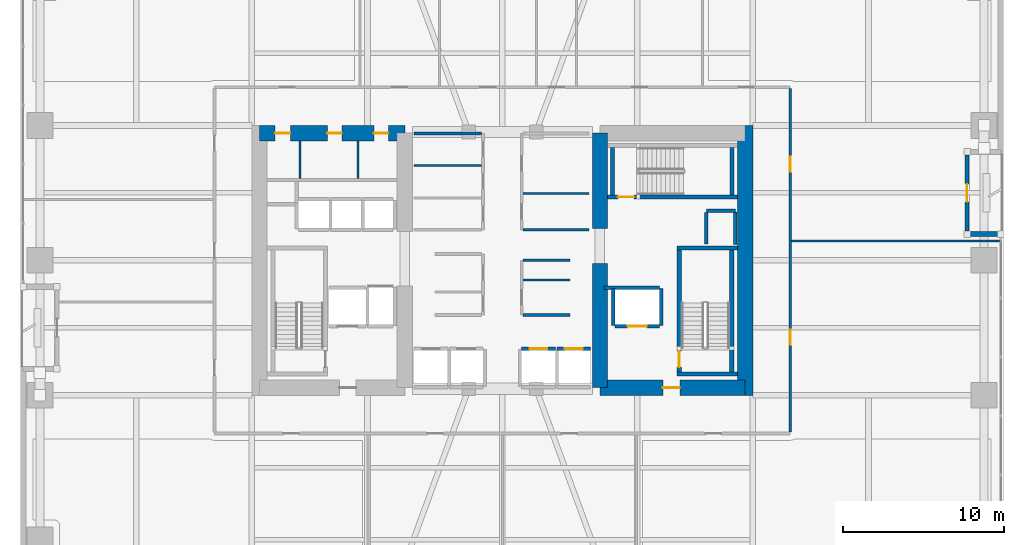
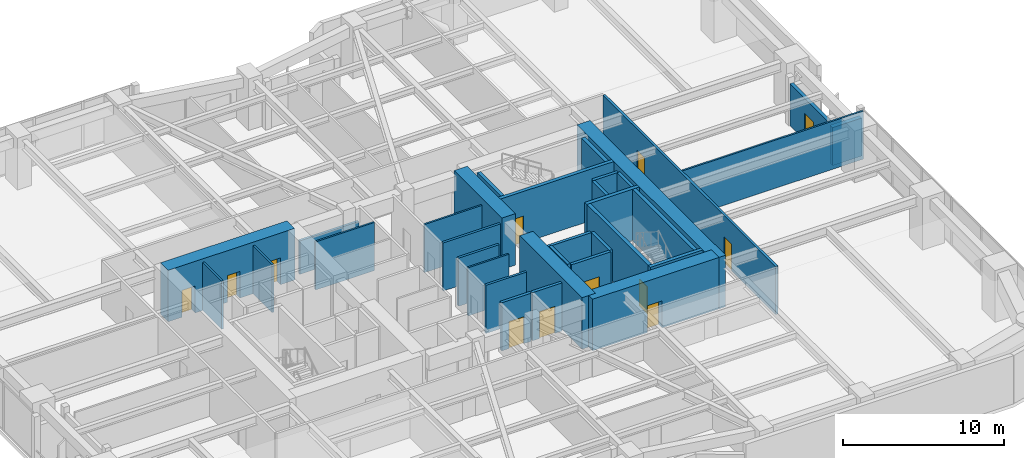
# One storey, part 24 of 28: 34 walls, 12 doors, 12 openings.
"""IFC4 building model written with IfcOpenShell, lengths in metres."""

import ifcopenshell
import ifcopenshell.guid

model = None  # the IFC model being written
_history = None  # IfcOwnerHistory: only IFC2X3 demands one
_inside = {}  # id of a spatial element -> (the spatial element, [elements in it])
_under = {}  # id of a project, library or spatial element -> (it, [spatial elements below it])
_declared = {}  # id of a project -> (the project, [libraries it declares])
_typed = {}  # id of a type object -> (the type object, [elements of that type])
_made_of = {}  # id of a material, layer set ... -> (it, [elements and type objects made of it])


def new_model(schema):
    """Start an empty IFC model of exactly this schema.

    Asked for "IFC4X3", IfcOpenShell would pick the latest addendum, in which some entities
    have other attributes; the version numbers below select the first issue.
    IFC2X3 requires an IfcOwnerHistory on every rooted entity: one is made here for all.
    """
    global model, _history
    if schema == "IFC4X3":
        model = ifcopenshell.file(schema_version=(4, 3, 0, 0))
    else:
        model = ifcopenshell.file(schema=schema)
    _inside.clear()
    _under.clear()
    _declared.clear()
    _typed.clear()
    _made_of.clear()
    _history = None
    if model.schema == "IFC2X3":
        org = make("IfcOrganization", Name="unknown")
        user = make(
            "IfcPersonAndOrganization",
            ThePerson=make("IfcPerson", FamilyName="unknown"),
            TheOrganization=org,
        )
        app = make(
            "IfcApplication",
            ApplicationDeveloper=org,
            Version="unknown",
            ApplicationFullName="unknown",
            ApplicationIdentifier="unknown",
        )
        _history = make(
            "IfcOwnerHistory",
            OwningUser=user,
            OwningApplication=app,
            ChangeAction="ADDED",
            CreationDate=0,
        )
    return model


def make(cls, **values):
    """One entity of the class cls with the attributes given. An attribute that is None is left unset."""
    return model.create_entity(
        cls, **{name: value for name, value in values.items() if value is not None}
    )


def rooted(cls, **values):
    """An entity with a GlobalId (a new one), such as an element, a storey or a relation."""
    return make(cls, GlobalId=ifcopenshell.guid.new(), OwnerHistory=_history, **values)


def si_unit(unit_type, name, prefix=None):
    """IfcSIUnit, for example si_unit("LENGTHUNIT", "METRE", prefix="MILLI")."""
    return make("IfcSIUnit", UnitType=unit_type, Prefix=prefix, Name=name)


def assignment(units):
    """IfcUnitAssignment: the units of a project."""
    return None if units is None else make("IfcUnitAssignment", Units=units)


def point(xyz):
    """IfcCartesianPoint."""
    return None if xyz is None else make("IfcCartesianPoint", Coordinates=xyz)


def direction(xyz):
    """IfcDirection."""
    return None if xyz is None else make("IfcDirection", DirectionRatios=xyz)


def frame(location, z_axis=None, x_axis=None):
    """IfcAxis2Placement3D, a coordinate frame: its origin and axes. An axis left out is left unset."""
    return make(
        "IfcAxis2Placement3D",
        Location=point(location),
        Axis=direction(z_axis),
        RefDirection=direction(x_axis),
    )


def frame_2d(location, x_axis=None):
    """IfcAxis2Placement2D, a coordinate frame in the plane: its origin and x axis."""
    return make(
        "IfcAxis2Placement2D", Location=point(location), RefDirection=direction(x_axis)
    )


def origin():
    """The frame at (0, 0, 0) with its axes left unset."""
    return frame((0.0, 0.0, 0.0))


def place(relative_to, where):
    """IfcLocalPlacement: puts the frame where relative to a parent placement (None: the world)."""
    return make(
        "IfcLocalPlacement", PlacementRelTo=relative_to, RelativePlacement=where
    )


def context(
    kind, dimensions, precision=None, world=None, true_north=None, identifier=None
):
    """IfcGeometricRepresentationContext, for example the 3D "Model" context."""
    return make(
        "IfcGeometricRepresentationContext",
        ContextIdentifier=identifier,
        ContextType=kind,
        CoordinateSpaceDimension=dimensions,
        Precision=precision,
        WorldCoordinateSystem=world,
        TrueNorth=true_north,
    )


def subcontext(parent, identifier, kind, view, scale=None):
    """IfcGeometricRepresentationSubContext, for example "Body" below "Model"."""
    return make(
        "IfcGeometricRepresentationSubContext",
        ContextIdentifier=identifier,
        ContextType=kind,
        ParentContext=parent,
        TargetScale=scale,
        TargetView=view,
    )


def project(units=None, contexts=None):
    """IfcProject with its units and contexts."""
    return rooted(
        "IfcProject",
        Name="project",
        RepresentationContexts=contexts,
        UnitsInContext=assignment(units),
    )


def spatial(cls, under=None, at=None, **own):
    """A site, building, storey or space (cls), placed at a placement, below another one or the project."""
    s = rooted(cls, ObjectPlacement=at, **own)
    if under is not None:
        _under.setdefault(under.id(), (under, []))[1].append(s)
    return s


def profile(cls, at=None, kind="AREA", **sizes):
    """A parametric profile (cls). Its sizes go by their IFC names, for example OverallWidth=200.0."""
    return make(cls, ProfileType=kind, Position=at, **sizes)


def rectangle(**sizes):
    """IfcRectangleProfileDef."""
    return profile("IfcRectangleProfileDef", **sizes)


def extrude(swept, where, along, depth):
    """IfcExtrudedAreaSolid: the profile swept, set in the frame where, extruded along a direction by depth."""
    return make(
        "IfcExtrudedAreaSolid",
        SweptArea=swept,
        Position=where,
        ExtrudedDirection=direction(along),
        Depth=depth,
    )


def shape(context_of_items, identifier, shape_type, items):
    """IfcShapeRepresentation: the items that make up one representation, for example the "Body"."""
    return make(
        "IfcShapeRepresentation",
        ContextOfItems=context_of_items,
        RepresentationIdentifier=identifier,
        RepresentationType=shape_type,
        Items=items,
    )


def material(Name=None, Category=None):
    """IfcMaterial."""
    return make("IfcMaterial", Name=Name, Category=Category)


def layer(
    of_material, thickness, ventilated=None, Name=None, Category=None, Priority=None
):
    """IfcMaterialLayer: one layer of a wall or slab, of a material (None: an air gap)."""
    return make(
        "IfcMaterialLayer",
        Material=of_material,
        LayerThickness=thickness,
        IsVentilated=ventilated,
        Name=Name,
        Category=Category,
        Priority=Priority,
    )


def layer_set(layers, Name=None):
    """IfcMaterialLayerSet."""
    return make("IfcMaterialLayerSet", MaterialLayers=layers, LayerSetName=Name)


def made_of(thing, what):
    """Note that an element or type object is made of a material, layer set ...; save() writes the relation."""
    if what is not None:
        _made_of.setdefault(what.id(), (what, []))[1].append(thing)
    return thing


def type_object(cls, material=None, **own):
    """A type object (cls), such as IfcWallType, which elements share."""
    return made_of(rooted(cls, **own), material)


def element(
    cls,
    number,
    at=None,
    inside=None,
    cuts=None,
    type_object=None,
    material=None,
    context=None,
    identifier="Body",
    shape_type=None,
    held_by="IfcProductDefinitionShape",
    body=None,
    shapes=None,
    **own,
):
    """One element of the class cls, such as IfcWall. Its Tag is "e" and its number.

    at: its placement. inside: the storey or other place that contains it. cuts: it is an
    opening in that element (IfcRelVoidsElement). A single representation is given by context,
    identifier, shape_type and body (its items); several are given by shapes. held_by: the class
    of the entity that holds the representations. save() writes the other relations.
    """
    e = rooted(cls, Tag="e%d" % number, ObjectPlacement=at, **own)
    if body is not None:
        shapes = [shape(context, identifier, shape_type, body)]
    if shapes is not None:
        e.Representation = make(held_by, Representations=shapes)
    if inside is not None:
        _inside.setdefault(inside.id(), (inside, []))[1].append(e)
    if cuts is not None:
        rooted(
            "IfcRelVoidsElement", RelatingBuildingElement=cuts, RelatedOpeningElement=e
        )
    if type_object is not None:
        _typed.setdefault(type_object.id(), (type_object, []))[1].append(e)
    return made_of(e, material)


def fill(opening, filler):
    """IfcRelFillsElement: the door or window that sits in an opening."""
    return rooted(
        "IfcRelFillsElement",
        RelatingOpeningElement=opening,
        RelatedBuildingElement=filler,
    )


def aggregate(whole, parts):
    """IfcRelAggregates: a whole, such as a stair, and the parts it consists of."""
    return rooted("IfcRelAggregates", RelatingObject=whole, RelatedObjects=parts)


def save(model, path):
    """Write the relations noted so far, then the file.

    IfcRelAggregates (storeys below a building ...), IfcRelContainedInSpatialStructure (elements
    in a storey), IfcRelDefinesByType, IfcRelAssociatesMaterial and IfcRelDeclares: one each for
    every whole, place, type object, material and project.
    """
    for whole, parts in _under.values():
        aggregate(whole, parts)
    for where, things in _inside.values():
        rooted(
            "IfcRelContainedInSpatialStructure",
            RelatedElements=things,
            RelatingStructure=where,
        )
    for kind, things in _typed.values():
        rooted("IfcRelDefinesByType", RelatedObjects=things, RelatingType=kind)
    for what, things in _made_of.values():
        rooted("IfcRelAssociatesMaterial", RelatedObjects=things, RelatingMaterial=what)
    for by, libraries in _declared.values():
        rooted("IfcRelDeclares", RelatingContext=by, RelatedDefinitions=libraries)
    model.write(path)


model = new_model("IFC4")

# Units and contexts
model_context = context("Model", 3, precision=1e-05, world=origin(), true_north=direction((0.0, 1.0)))
body_context = subcontext(model_context, "Body", "Model", "MODEL_VIEW")
ifc_project = project(units=[si_unit("LENGTHUNIT", "METRE"), si_unit("AREAUNIT", "SQUARE_METRE"), si_unit("VOLUMEUNIT", "CUBIC_METRE"), si_unit("PLANEANGLEUNIT", "RADIAN"), si_unit("MASSUNIT", "GRAM", prefix="KILO")], contexts=[model_context])

# Site, building, storey
site_placement = place(None, origin())
site = spatial("IfcSite", under=ifc_project, at=site_placement, CompositionType="ELEMENT")
building_placement = place(site_placement, origin())
building = spatial("IfcBuilding", under=site, at=building_placement, Name="Kiyonajd Concourse Tower", CompositionType="ELEMENT")
storey_placement = place(building_placement, frame((0.0, 0.0, 37.199951171875)))
storey = spatial("IfcBuildingStorey", under=building, at=storey_placement, Name="L10", CompositionType="ELEMENT", Elevation=37.199951171875)

# Wall, openings, doors
ifc_material_1 = material(Name="Concrete C80/95", Category="concrete")
ifc_layer_1 = layer(ifc_material_1, 0.949951171875)
ifc_layer_set_1 = layer_set([ifc_layer_1], Name="Concrete C80/95")
wall_type_1 = type_object("IfcWallType", Name="WL-CORE-950", PredefinedType="SHEAR", material=ifc_layer_set_1)
wall_1_placement = place(storey_placement, frame((32.875, 43.925048828125, 0.0), z_axis=(0.0, 0.0, 1.0), x_axis=(1.0, 0.0, 0.0)))
wall_1 = element("IfcWall", 1, at=wall_1_placement, inside=storey, type_object=wall_type_1, Name="L10 West Core North Shear Wall", PredefinedType="SHEAR", context=body_context, shape_type="SweptSolid", body=[
    extrude(rectangle(XDim=9.050048828125, YDim=0.949951171875, at=frame_2d((4.52490234375, 0.0))), origin(), (0.0, 0.0, 1.0), 3.900146484375),
])
opening_1_placement = place(wall_1_placement, frame((0.97509765625, 0.0, 0.0)))
opening_1 = element("IfcOpeningElement", 2, at=opening_1_placement, cuts=wall_1, Name="Opening DI1", PredefinedType="OPENING", context=body_context, shape_type="SweptSolid", body=[
    extrude(rectangle(XDim=0.949951171875, YDim=2.0400390625, at=frame_2d((0.47509765625, 1.02001953125))), frame((0.0, 0.48486328125, 0.0), z_axis=(0.0, -1.0, 0.0), x_axis=(1.0, 0.0, 0.0)), (0.0, 0.0, 1.0), 0.969970703125),
])
opening_2_placement = place(wall_1_placement, frame((4.22509765625, 0.0, 0.0)))
opening_2 = element("IfcOpeningElement", 3, at=opening_2_placement, cuts=wall_1, Name="Opening DI2", PredefinedType="OPENING", context=body_context, shape_type="SweptSolid", body=[
    extrude(rectangle(XDim=0.89990234375, YDim=2.02001953125, at=frame_2d((0.449951171875, 1.010009765625))), frame((0.0, 0.48486328125, 0.0), z_axis=(0.0, -1.0, 0.0), x_axis=(1.0, 0.0, 0.0)), (0.0, 0.0, 1.0), 0.969970703125),
])
opening_3_placement = place(wall_1_placement, frame((7.125, 0.0, 0.0)))
opening_3 = element("IfcOpeningElement", 4, at=opening_3_placement, cuts=wall_1, Name="Opening DI2", PredefinedType="OPENING", context=body_context, shape_type="SweptSolid", body=[
    extrude(rectangle(XDim=0.89990234375, YDim=2.02001953125, at=frame_2d((0.449951171875, 1.010009765625))), frame((0.0, 0.48486328125, 0.0), z_axis=(0.0, -1.0, 0.0), x_axis=(1.0, 0.0, 0.0)), (0.0, 0.0, 1.0), 0.969970703125),
])
ifc_material_2 = material(Name="Natural Oak Acoustic Timber Veneer", Category="wood")
door_type_1 = type_object("IfcDoorType", Name="DR-INT-900", OperationType="NOTDEFINED", PredefinedType="DOOR", material=ifc_material_2)
door_1_placement = place(opening_2_placement, origin())
door_1 = element("IfcDoor", 5, at=door_1_placement, inside=storey, type_object=door_type_1, Name="L10 Male Restroom Door", OperationType="SINGLE_SWING_RIGHT", OverallHeight=2.02001953125, OverallWidth=0.89990234375, PredefinedType="DOOR", context=body_context, shape_type="SweptSolid", body=[
    extrude(rectangle(XDim=0.89990234375, YDim=2.02001953125, at=frame_2d((0.449951171875, 1.010009765625))), frame((0.0, 0.02490234375, 0.0), z_axis=(0.0, -1.0, 0.0), x_axis=(1.0, 0.0, 0.0)), (0.0, 0.0, 1.0), 0.050048828125),
])
fill(opening_2, door_1)
door_2_placement = place(opening_3_placement, origin())
door_2 = element("IfcDoor", 6, at=door_2_placement, inside=storey, type_object=door_type_1, Name="L10 Female Restroom Door", OperationType="SINGLE_SWING_LEFT", OverallHeight=2.02001953125, OverallWidth=0.89990234375, PredefinedType="DOOR", context=body_context, shape_type="SweptSolid", body=[
    extrude(rectangle(XDim=0.89990234375, YDim=2.02001953125, at=frame_2d((0.449951171875, 1.010009765625))), frame((0.0, 0.02490234375, 0.0), z_axis=(0.0, -1.0, 0.0), x_axis=(1.0, 0.0, 0.0)), (0.0, 0.0, 1.0), 0.050048828125),
])
fill(opening_3, door_2)
door_type_2 = type_object("IfcDoorType", Name="DR-INT-950", OperationType="NOTDEFINED", PredefinedType="DOOR", material=ifc_material_2)
door_3_placement = place(opening_1_placement, origin())
door_3 = element("IfcDoor", 7, at=door_3_placement, inside=storey, type_object=door_type_2, Name="L10 Single User Accessible WC Door", OperationType="SINGLE_SWING_LEFT", OverallHeight=2.0400390625, OverallWidth=0.949951171875, PredefinedType="DOOR", context=body_context, shape_type="SweptSolid", body=[
    extrude(rectangle(XDim=0.949951171875, YDim=2.0400390625, at=frame_2d((0.47509765625, 1.02001953125))), frame((0.0, 0.02490234375, 0.0), z_axis=(0.0, -1.0, 0.0), x_axis=(1.0, 0.0, 0.0)), (0.0, 0.0, 1.0), 0.050048828125),
])
fill(opening_1, door_3)

# Walls
wall_2_placement = place(storey_placement, frame((54.074951171875, 28.074951171875, 0.0), z_axis=(0.0, 0.0, 1.0), x_axis=(0.0, 1.0, 0.0)))
element("IfcWall", 8, at=wall_2_placement, inside=storey, type_object=wall_type_1, Name="L10 East Core Inner South Shear Wall", PredefinedType="SHEAR", context=body_context, shape_type="SweptSolid", body=[
    extrude(rectangle(XDim=7.72509765625, YDim=0.949951171875, at=frame_2d((3.862548828125, 0.0))), origin(), (0.0, 0.0, 1.0), 3.900146484375),
])
wall_3_placement = place(storey_placement, frame((54.074951171875, 38.0, 0.0), z_axis=(0.0, 0.0, 1.0), x_axis=(0.0, 1.0, 0.0)))
element("IfcWall", 9, at=wall_3_placement, inside=storey, type_object=wall_type_1, Name="L10 East Core Inner North Shear Wall", PredefinedType="SHEAR", context=body_context, shape_type="SweptSolid", body=[
    extrude(rectangle(XDim=5.925048828125, YDim=0.949951171875, at=frame_2d((2.96240234375, 0.0))), origin(), (0.0, 0.0, 1.0), 3.900146484375),
])
wall_4_placement = place(storey_placement, frame((63.125, 27.60009765625, 0.0), z_axis=(0.0, 0.0, 1.0), x_axis=(0.0, 1.0, 0.0)))
element("IfcWall", 10, at=wall_4_placement, inside=storey, type_object=wall_type_1, Name="L10 East Core Outer Shear Wall", PredefinedType="SHEAR", context=body_context, shape_type="SweptSolid", body=[
    extrude(rectangle(XDim=16.7998046875, YDim=0.949951171875, at=frame_2d((8.39990234375, 0.0))), origin(), (0.0, 0.0, 1.0), 3.900146484375),
])

# Wall, opening, door
wall_5_placement = place(storey_placement, frame((54.074951171875, 28.074951171875, 0.0), z_axis=(0.0, 0.0, 1.0), x_axis=(1.0, 0.0, 0.0)))
wall_5 = element("IfcWall", 11, at=wall_5_placement, inside=storey, type_object=wall_type_1, Name="L10 East Core South Shear Wall", PredefinedType="SHEAR", context=body_context, shape_type="SweptSolid", body=[
    extrude(rectangle(XDim=9.050048828125, YDim=0.949951171875, at=frame_2d((4.52490234375, 0.0))), origin(), (0.0, 0.0, 1.0), 3.900146484375),
])
opening_4_placement = place(wall_5_placement, frame((3.925048828125, 0.0, 0.0)))
opening_4 = element("IfcOpeningElement", 12, at=opening_4_placement, cuts=wall_5, Name="Opening DF5", PredefinedType="OPENING", context=body_context, shape_type="SweptSolid", body=[
    extrude(rectangle(XDim=1.050048828125, YDim=2.0400390625, at=frame_2d((0.52490234375, 1.02001953125))), frame((0.0, 0.48486328125, 0.0), z_axis=(0.0, -1.0, 0.0), x_axis=(1.0, 0.0, 0.0)), (0.0, 0.0, 1.0), 0.969970703125),
])
ifc_material_3 = material(Name="Brushed Stainless Steel Cab Assembly", Category="steel")
door_type_3 = type_object("IfcDoorType", Name="DR-FD45-1050", OperationType="NOTDEFINED", PredefinedType="DOOR", material=ifc_material_3)
door_4_placement = place(opening_4_placement, origin())
door_4 = element("IfcDoor", 13, at=door_4_placement, inside=storey, type_object=door_type_3, Name="L10 Firefighting Lift Lobby E Smoke Door", OperationType="SINGLE_SWING_RIGHT", OverallHeight=2.0400390625, OverallWidth=1.050048828125, PredefinedType="DOOR", context=body_context, shape_type="SweptSolid", body=[
    extrude(rectangle(XDim=1.050048828125, YDim=2.0400390625, at=frame_2d((0.52490234375, 1.02001953125))), frame((0.0, 0.02490234375, 0.0), z_axis=(0.0, -1.0, 0.0), x_axis=(1.0, 0.0, 0.0)), (0.0, 0.0, 1.0), 0.050048828125),
])
fill(opening_4, door_4)

# Wall
ifc_material_4 = material(Name="Precast concrete C50/60", Category="concrete")
ifc_layer_2 = layer(ifc_material_4, 0.320068359375)
ifc_layer_set_2 = layer_set([ifc_layer_2], Name="Precast concrete C50/60")
wall_type_2 = type_object("IfcWallType", Name="WL-EXT-320", PredefinedType="SOLIDWALL", material=ifc_layer_set_2)
wall_6_placement = place(storey_placement, frame((76.93994140625, 37.639892578125, 0.0), z_axis=(0.0, 0.0, 1.0), x_axis=(1.0, 0.0, 0.0)))
element("IfcWall", 14, at=wall_6_placement, inside=storey, type_object=wall_type_2, Name="L10 Exterior Concrete Frame Wall 23", PredefinedType="SOLIDWALL", context=body_context, shape_type="SweptSolid", body=[
    extrude(rectangle(XDim=2.10009765625, YDim=0.320068359375, at=frame_2d((1.050048828125, 0.0))), origin(), (0.0, 0.0, 1.0), 2.875),
])

# Wall, opening, door
ifc_layer_3 = layer(ifc_material_4, 0.239990234375)
ifc_layer_set_3 = layer_set([ifc_layer_3], Name="Precast concrete C50/60")
wall_type_3 = type_object("IfcWallType", Name="WL-LOG-240", PredefinedType="SOLIDWALL", material=ifc_layer_set_3)
wall_7_placement = place(storey_placement, frame((76.93994140625, 42.56494140625, 0.0), z_axis=(0.0, 0.0, 1.0), x_axis=(0.0, -1.0, 0.0)))
wall_7 = element("IfcWall", 15, at=wall_7_placement, inside=storey, type_object=wall_type_3, Name="L10 Recessed Loggia Thermal Wall LOG-E", PredefinedType="SOLIDWALL", context=body_context, shape_type="SweptSolid", body=[
    extrude(rectangle(XDim=4.72998046875, YDim=0.239990234375, at=frame_2d((2.364990234375, 0.0))), origin(), (0.0, 0.0, 1.0), 3.162109375),
])
opening_5_placement = place(wall_7_placement, frame((1.81494140625, 0.0, 0.0)))
opening_5 = element("IfcOpeningElement", 16, at=opening_5_placement, cuts=wall_7, Name="Opening DL2", PredefinedType="OPENING", context=body_context, shape_type="SweptSolid", body=[
    extrude(rectangle(XDim=1.10009765625, YDim=2.0400390625, at=frame_2d((0.550048828125, 1.02001953125))), frame((0.0, 0.1298828125, 0.0), z_axis=(0.0, -1.0, 0.0), x_axis=(1.0, 0.0, 0.0)), (0.0, 0.0, 1.0), 0.260009765625),
])
ifc_material_5 = material(Name="Thermally Broken Anodised Aluminium", Category="aluminium")
door_type_4 = type_object("IfcDoorType", Name="DR-LOG-1100", OperationType="NOTDEFINED", PredefinedType="DOOR", material=ifc_material_5)
door_5_placement = place(opening_5_placement, origin())
door_5 = element("IfcDoor", 17, at=door_5_placement, inside=storey, type_object=door_type_4, Name="L10 Engawa Loggia Access Door LOG-E", OperationType="SINGLE_SWING_LEFT", OverallHeight=2.0400390625, OverallWidth=1.10009765625, PredefinedType="DOOR", context=body_context, shape_type="SweptSolid", body=[
    extrude(rectangle(XDim=1.10009765625, YDim=2.0400390625, at=frame_2d((0.550048828125, 1.02001953125))), frame((0.0, 0.02490234375, 0.0), z_axis=(0.0, -1.0, 0.0), x_axis=(1.0, 0.0, 0.0)), (0.0, 0.0, 1.0), 0.050048828125),
])
fill(opening_5, door_5)

# Walls
ifc_material_6 = material(Name="Gypsum Board on Cold-Formed Steel Stud", Category="steel")
ifc_layer_4 = layer(ifc_material_6, 0.125)
ifc_layer_set_4 = layer_set([ifc_layer_4], Name="Gypsum Board on Cold-Formed Steel Stud")
wall_type_4 = type_object("IfcWallType", Name="WL-PART-125", PredefinedType="PARTITIONING", material=ifc_layer_set_4)
for number, where, z_axis, x_axis, name in (
    (18, (35.39990234375, 41.094970703125, 0.0), (0.0, 0.0, 1.0), (0.0, 1.0, 0.0), "L10 Interior Partition Wall"),
    (19, (39.0, 41.094970703125, 0.0), (0.0, 0.0, 1.0), (0.0, 1.0, 0.0), "L10 Interior Partition Wall"),
):
    element("IfcWall", number, at=place(storey_placement, frame(where, z_axis=z_axis, x_axis=x_axis)), inside=storey, type_object=wall_type_4, Name=name, PredefinedType="PARTITIONING", context=body_context, shape_type="SweptSolid", body=[
        extrude(rectangle(XDim=2.35498046875, YDim=0.125, at=frame_2d((1.177490234375, 0.0))), origin(), (0.0, 0.0, 1.0), 3.64013671875),
    ])
wall_8_placement = place(storey_placement, frame((49.287109375, 34.77587890625, 0.0), z_axis=(0.0, 0.0, 1.0), x_axis=(1.0, 0.0, 0.0)))
element("IfcWall", 20, at=wall_8_placement, inside=storey, type_object=wall_type_4, Name="L10 Interior Partition Wall", PredefinedType="PARTITIONING", context=body_context, shape_type="SweptSolid", body=[
    extrude(rectangle(XDim=2.912841796875, YDim=0.125, at=frame_2d((1.45654296875, 0.0))), origin(), (0.0, 0.0, 1.0), 3.64013671875),
])
wall_9_placement = place(storey_placement, frame((42.5, 41.919921875, 0.0), z_axis=(0.0, 0.0, 1.0), x_axis=(1.0, 0.0, 0.0)))
element("IfcWall", 21, at=wall_9_placement, inside=storey, type_object=wall_type_4, Name="L10 Interior Partition Wall", PredefinedType="PARTITIONING", context=body_context, shape_type="SweptSolid", body=[
    extrude(rectangle(XDim=4.212890625, YDim=0.125, at=frame_2d((2.1064453125, 0.0))), origin(), (0.0, 0.0, 1.0), 3.64013671875),
])
wall_10_placement = place(storey_placement, frame((49.287109375, 40.179931640625, 0.0), z_axis=(0.0, 0.0, 1.0), x_axis=(1.0, 0.0, 0.0)))
element("IfcWall", 22, at=wall_10_placement, inside=storey, type_object=wall_type_4, Name="L10 Interior Partition Wall", PredefinedType="PARTITIONING", context=body_context, shape_type="SweptSolid", body=[
    extrude(rectangle(XDim=4.11279296875, YDim=0.125, at=frame_2d((2.056396484375, 0.0))), origin(), (0.0, 0.0, 1.0), 3.64013671875),
])
wall_11_placement = place(storey_placement, frame((66.011962890625, 37.199951171875, 0.0), z_axis=(0.0, 0.0, 1.0), x_axis=(1.0, 0.0, 0.0)))
element("IfcWall", 23, at=wall_11_placement, inside=storey, type_object=wall_type_4, Name="L10 Interior Partition Wall", PredefinedType="PARTITIONING", context=body_context, shape_type="SweptSolid", body=[
    extrude(rectangle(XDim=12.943115234375, YDim=0.125, at=frame_2d((6.4716796875, 0.0))), origin(), (0.0, 0.0, 1.0), 3.64013671875),
])
ifc_layer_5 = layer(ifc_material_6, 0.2099609375)
ifc_layer_set_5 = layer_set([ifc_layer_5], Name="Gypsum Board on Cold-Formed Steel Stud")
wall_type_5 = type_object("IfcWallType", Name="WL-SHAFT-210", PredefinedType="PARTITIONING", material=ifc_layer_set_5)
wall_12_placement = place(storey_placement, frame((60.719970703125, 39.10009765625, 0.0), z_axis=(0.0, 0.0, 1.0), x_axis=(1.0, 0.0, 0.0)))
element("IfcWall", 24, at=wall_12_placement, inside=storey, type_object=wall_type_5, Name="L10 Shaft Enclosure Wall", PredefinedType="PARTITIONING", context=body_context, shape_type="SweptSolid", body=[
    extrude(rectangle(XDim=1.800048828125, YDim=0.2099609375, at=frame_2d((0.89990234375, 0.0))), origin(), (0.0, 0.0, 1.0), 3.64013671875),
])
wall_13_placement = place(storey_placement, frame((60.699951171875, 37.02001953125, 0.0), z_axis=(0.0, 0.0, 1.0), x_axis=(0.0, 1.0, 0.0)))
element("IfcWall", 25, at=wall_13_placement, inside=storey, type_object=wall_type_5, Name="L10 Shaft Enclosure Wall", PredefinedType="PARTITIONING", context=body_context, shape_type="SweptSolid", body=[
    extrude(rectangle(XDim=1.9599609375, YDim=0.2099609375, at=frame_2d((0.97998046875, 0.0))), origin(), (0.0, 0.0, 1.0), 3.64013671875),
])
wall_14_placement = place(storey_placement, frame((62.5, 36.97998046875, 0.0), z_axis=(0.0, 0.0, 1.0), x_axis=(0.0, 1.0, 0.0)))
element("IfcWall", 26, at=wall_14_placement, inside=storey, type_object=wall_type_5, Name="L10 Shaft Enclosure Wall", PredefinedType="PARTITIONING", context=body_context, shape_type="SweptSolid", body=[
    extrude(rectangle(XDim=2.0400390625, YDim=0.2099609375, at=frame_2d((1.02001953125, 0.0))), origin(), (0.0, 0.0, 1.0), 3.64013671875),
])

# Wall, opening, door
wall_15_placement = place(storey_placement, frame((55.0, 31.89990234375, 0.0), z_axis=(0.0, 0.0, 1.0), x_axis=(1.0, 0.0, 0.0)))
wall_15 = element("IfcWall", 27, at=wall_15_placement, inside=storey, type_object=wall_type_5, Name="L10 Shaft Enclosure Wall", PredefinedType="PARTITIONING", context=body_context, shape_type="SweptSolid", body=[
    extrude(rectangle(XDim=2.800048828125, YDim=0.2099609375, at=frame_2d((1.39990234375, 0.0))), origin(), (0.0, 0.0, 1.0), 3.64013671875),
])
opening_6_placement = place(wall_15_placement, frame((0.800048828125, 0.0, 0.0)))
opening_6 = element("IfcOpeningElement", 28, at=opening_6_placement, cuts=wall_15, Name="Opening LD2", PredefinedType="OPENING", context=body_context, shape_type="SweptSolid", body=[
    extrude(rectangle(XDim=1.199951171875, YDim=2.0400390625, at=frame_2d((0.60009765625, 1.02001953125))), frame((0.0, 0.114990234375, 0.0), z_axis=(0.0, -1.0, 0.0), x_axis=(1.0, 0.0, 0.0)), (0.0, 0.0, 1.0), 0.22998046875),
])
door_type_5 = type_object("IfcDoorType", Name="DR-LD-1200", OperationType="DOUBLE_DOOR_SLIDING", PredefinedType="DOOR", material=ifc_material_3)
door_6_placement = place(opening_6_placement, origin())
door_6 = element("IfcDoor", 29, at=door_6_placement, inside=storey, type_object=door_type_5, Name="L10 Lift FFL2 Sliding Landing Door", OperationType="DOUBLE_DOOR_SLIDING", OverallHeight=2.0400390625, OverallWidth=1.199951171875, PredefinedType="DOOR", context=body_context, shape_type="SweptSolid", body=[
    extrude(rectangle(XDim=1.199951171875, YDim=2.0400390625, at=frame_2d((0.60009765625, 1.02001953125))), frame((0.0, 0.02490234375, 0.0), z_axis=(0.0, -1.0, 0.0), x_axis=(1.0, 0.0, 0.0)), (0.0, 0.0, 1.0), 0.050048828125),
])
fill(opening_6, door_6)

# Walls
wall_16_placement = place(storey_placement, frame((54.320068359375, 34.300048828125, 0.0), z_axis=(0.0, 0.0, 1.0), x_axis=(1.0, 0.0, 0.0)))
element("IfcWall", 30, at=wall_16_placement, inside=storey, type_object=wall_type_5, Name="L10 Shaft Enclosure Wall", PredefinedType="PARTITIONING", context=body_context, shape_type="SweptSolid", body=[
    extrude(rectangle(XDim=3.47998046875, YDim=0.2099609375, at=frame_2d((1.739990234375, 0.0))), origin(), (0.0, 0.0, 1.0), 3.64013671875),
])
for number, where, z_axis, x_axis, name in (
    (31, (54.89990234375, 31.9599609375, 0.0), (0.0, 0.0, 1.0), (0.0, 1.0, 0.0), "L10 Shaft Enclosure Wall"),
    (32, (57.89990234375, 31.9599609375, 0.0), (0.0, 0.0, 1.0), (0.0, 1.0, 0.0), "L10 Shaft Enclosure Wall"),
):
    element("IfcWall", number, at=place(storey_placement, frame(where, z_axis=z_axis, x_axis=x_axis)), inside=storey, type_object=wall_type_5, Name=name, PredefinedType="PARTITIONING", context=body_context, shape_type="SweptSolid", body=[
        extrude(rectangle(XDim=2.280029296875, YDim=0.2099609375, at=frame_2d((1.14013671875, 0.0))), origin(), (0.0, 0.0, 1.0), 3.64013671875),
    ])

# Wall, opening, door
wall_17_placement = place(storey_placement, frame((49.199951171875, 30.5, 0.0), z_axis=(0.0, 0.0, 1.0), x_axis=(1.0, 0.0, 0.0)))
wall_17 = element("IfcWall", 33, at=wall_17_placement, inside=storey, type_object=wall_type_5, Name="L10 Shaft Enclosure Wall", PredefinedType="PARTITIONING", context=body_context, shape_type="SweptSolid", body=[
    extrude(rectangle(XDim=2.10009765625, YDim=0.2099609375, at=frame_2d((1.050048828125, 0.0))), origin(), (0.0, 0.0, 1.0), 3.64013671875),
])
opening_7_placement = place(wall_17_placement, frame((0.5, 0.0, 0.0)))
opening_7 = element("IfcOpeningElement", 34, at=opening_7_placement, cuts=wall_17, Name="Opening LD1", PredefinedType="OPENING", context=body_context, shape_type="SweptSolid", body=[
    extrude(rectangle(XDim=1.10009765625, YDim=2.0400390625, at=frame_2d((0.550048828125, 1.02001953125))), frame((0.0, 0.114990234375, 0.0), z_axis=(0.0, -1.0, 0.0), x_axis=(1.0, 0.0, 0.0)), (0.0, 0.0, 1.0), 0.22998046875),
])
door_type_6 = type_object("IfcDoorType", Name="DR-LD-1100", OperationType="DOUBLE_DOOR_SLIDING", PredefinedType="DOOR", material=ifc_material_3)
door_7_placement = place(opening_7_placement, origin())
door_7 = element("IfcDoor", 35, at=door_7_placement, inside=storey, type_object=door_type_6, Name="L10 Lift PL-L3 Sliding Landing Door", OperationType="DOUBLE_DOOR_SLIDING", OverallHeight=2.0400390625, OverallWidth=1.10009765625, PredefinedType="DOOR", context=body_context, shape_type="SweptSolid", body=[
    extrude(rectangle(XDim=1.10009765625, YDim=2.0400390625, at=frame_2d((0.550048828125, 1.02001953125))), frame((0.0, 0.02490234375, 0.0), z_axis=(0.0, -1.0, 0.0), x_axis=(1.0, 0.0, 0.0)), (0.0, 0.0, 1.0), 0.050048828125),
])
fill(opening_7, door_7)

wall_18_placement = place(storey_placement, frame((51.39990234375, 30.5, 0.0), z_axis=(0.0, 0.0, 1.0), x_axis=(1.0, 0.0, 0.0)))
wall_18 = element("IfcWall", 36, at=wall_18_placement, inside=storey, type_object=wall_type_5, Name="L10 Shaft Enclosure Wall", PredefinedType="PARTITIONING", context=body_context, shape_type="SweptSolid", body=[
    extrude(rectangle(XDim=2.10009765625, YDim=0.2099609375, at=frame_2d((1.050048828125, 0.0))), origin(), (0.0, 0.0, 1.0), 3.64013671875),
])
opening_8_placement = place(wall_18_placement, frame((0.5, 0.0, 0.0)))
opening_8 = element("IfcOpeningElement", 37, at=opening_8_placement, cuts=wall_18, Name="Opening LD1", PredefinedType="OPENING", context=body_context, shape_type="SweptSolid", body=[
    extrude(rectangle(XDim=1.10009765625, YDim=2.0400390625, at=frame_2d((0.550048828125, 1.02001953125))), frame((0.0, 0.114990234375, 0.0), z_axis=(0.0, -1.0, 0.0), x_axis=(1.0, 0.0, 0.0)), (0.0, 0.0, 1.0), 0.22998046875),
])
door_8_placement = place(opening_8_placement, origin())
door_8 = element("IfcDoor", 38, at=door_8_placement, inside=storey, type_object=door_type_6, Name="L10 Lift PL-L4 Sliding Landing Door", OperationType="DOUBLE_DOOR_SLIDING", OverallHeight=2.0400390625, OverallWidth=1.10009765625, PredefinedType="DOOR", context=body_context, shape_type="SweptSolid", body=[
    extrude(rectangle(XDim=1.10009765625, YDim=2.0400390625, at=frame_2d((0.550048828125, 1.02001953125))), frame((0.0, 0.02490234375, 0.0), z_axis=(0.0, -1.0, 0.0), x_axis=(1.0, 0.0, 0.0)), (0.0, 0.0, 1.0), 0.050048828125),
])
fill(opening_8, door_8)

# Walls
ifc_layer_6 = layer(ifc_material_6, 0.169921875)
ifc_layer_set_6 = layer_set([ifc_layer_6], Name="Gypsum Board on Cold-Formed Steel Stud")
wall_type_6 = type_object("IfcWallType", Name="WL-SMK-170", PredefinedType="PARTITIONING", material=ifc_layer_set_6)
for number, where, z_axis, x_axis, name in (
    (39, (49.287109375, 32.60009765625, 0.0), (0.0, 0.0, 1.0), (1.0, 0.0, 0.0), "L10 Interior Partition Wall"),
    (40, (49.287109375, 36.0, 0.0), (0.0, 0.0, 1.0), (1.0, 0.0, 0.0), "L10 Interior Partition Wall"),
):
    element("IfcWall", number, at=place(storey_placement, frame(where, z_axis=z_axis, x_axis=x_axis)), inside=storey, type_object=wall_type_6, Name=name, PredefinedType="PARTITIONING", context=body_context, shape_type="SweptSolid", body=[
        extrude(rectangle(XDim=2.912841796875, YDim=0.169921875, at=frame_2d((1.45654296875, 0.0))), origin(), (0.0, 0.0, 1.0), 3.64013671875),
    ])
wall_19_placement = place(storey_placement, frame((42.5, 43.89990234375, 0.0), z_axis=(0.0, 0.0, 1.0), x_axis=(1.0, 0.0, 0.0)))
element("IfcWall", 41, at=wall_19_placement, inside=storey, type_object=wall_type_6, Name="L10 Interior Partition Wall", PredefinedType="PARTITIONING", context=body_context, shape_type="SweptSolid", body=[
    extrude(rectangle(XDim=4.212890625, YDim=0.169921875, at=frame_2d((2.1064453125, 0.0))), origin(), (0.0, 0.0, 1.0), 2.525146484375),
])
wall_20_placement = place(storey_placement, frame((49.287109375, 37.89990234375, 0.0), z_axis=(0.0, 0.0, 1.0), x_axis=(1.0, 0.0, 0.0)))
element("IfcWall", 42, at=wall_20_placement, inside=storey, type_object=wall_type_6, Name="L10 Interior Partition Wall", PredefinedType="PARTITIONING", context=body_context, shape_type="SweptSolid", body=[
    extrude(rectangle(XDim=4.11279296875, YDim=0.169921875, at=frame_2d((2.056396484375, 0.0))), origin(), (0.0, 0.0, 1.0), 3.64013671875),
])

# Wall, openings, doors
wall_21_placement = place(storey_placement, frame((65.925048828125, 25.306884765625, 0.0), z_axis=(0.0, 0.0, 1.0), x_axis=(0.0, 1.0, 0.0)))
wall_21 = element("IfcWall", 43, at=wall_21_placement, inside=storey, type_object=wall_type_6, Name="L10 Interior Partition Wall", PredefinedType="PARTITIONING", context=body_context, shape_type="SweptSolid", body=[
    extrude(rectangle(XDim=21.38623046875, YDim=0.169921875, at=frame_2d((10.693115234375, 0.0))), origin(), (0.0, 0.0, 1.0), 3.64013671875),
])
opening_9_placement = place(wall_21_placement, frame((5.427978515625, 0.0, 0.0)))
opening_9 = element("IfcOpeningElement", 44, at=opening_9_placement, cuts=wall_21, Name="Opening DI1", PredefinedType="OPENING", context=body_context, shape_type="SweptSolid", body=[
    extrude(rectangle(XDim=0.949951171875, YDim=2.0400390625, at=frame_2d((0.47509765625, 1.02001953125))), frame((0.0, 0.094970703125, 0.0), z_axis=(0.0, -1.0, 0.0), x_axis=(1.0, 0.0, 0.0)), (0.0, 0.0, 1.0), 0.18994140625),
])
opening_10_placement = place(wall_21_placement, frame((16.2080078125, 0.0, 0.0)))
opening_10 = element("IfcOpeningElement", 45, at=opening_10_placement, cuts=wall_21, Name="Opening DI1", PredefinedType="OPENING", context=body_context, shape_type="SweptSolid", body=[
    extrude(rectangle(XDim=0.949951171875, YDim=2.0400390625, at=frame_2d((0.47509765625, 1.02001953125))), frame((0.0, 0.094970703125, 0.0), z_axis=(0.0, -1.0, 0.0), x_axis=(1.0, 0.0, 0.0)), (0.0, 0.0, 1.0), 0.18994140625),
])
door_9_placement = place(opening_9_placement, origin())
door_9 = element("IfcDoor", 46, at=door_9_placement, inside=storey, type_object=door_type_2, Name="L10 Interior Door", OperationType="SINGLE_SWING_LEFT", OverallHeight=2.0400390625, OverallWidth=0.949951171875, PredefinedType="DOOR", context=body_context, shape_type="SweptSolid", body=[
    extrude(rectangle(XDim=0.949951171875, YDim=2.0400390625, at=frame_2d((0.47509765625, 1.02001953125))), frame((0.0, 0.02490234375, 0.0), z_axis=(0.0, -1.0, 0.0), x_axis=(1.0, 0.0, 0.0)), (0.0, 0.0, 1.0), 0.050048828125),
])
fill(opening_9, door_9)
door_10_placement = place(opening_10_placement, origin())
door_10 = element("IfcDoor", 47, at=door_10_placement, inside=storey, type_object=door_type_2, Name="L10 Interior Door", OperationType="SINGLE_SWING_RIGHT", OverallHeight=2.0400390625, OverallWidth=0.949951171875, PredefinedType="DOOR", context=body_context, shape_type="SweptSolid", body=[
    extrude(rectangle(XDim=0.949951171875, YDim=2.0400390625, at=frame_2d((0.47509765625, 1.02001953125))), frame((0.0, 0.02490234375, 0.0), z_axis=(0.0, -1.0, 0.0), x_axis=(1.0, 0.0, 0.0)), (0.0, 0.0, 1.0), 0.050048828125),
])
fill(opening_10, door_10)

# Walls
ifc_material_7 = material(Name="Concrete C50/60", Category="concrete")
ifc_layer_7 = layer(ifc_material_7, 0.260009765625)
ifc_layer_set_7 = layer_set([ifc_layer_7], Name="Concrete C50/60")
wall_type_7 = type_object("IfcWallType", Name="WL-STAIR-260", PredefinedType="SHEAR", material=ifc_layer_set_7)
for number, where, z_axis, x_axis, name in (
    (48, (58.889892578125, 28.919921875, 0.0), (0.0, 0.0, 1.0), (1.0, 0.0, 0.0), "L10 Stair ST2 Structural South Wall"),
    (49, (58.889892578125, 36.780029296875, 0.0), (0.0, 0.0, 1.0), (1.0, 0.0, 0.0), "L10 Stair ST2 Structural North Wall"),
):
    element("IfcWall", number, at=place(storey_placement, frame(where, z_axis=z_axis, x_axis=x_axis)), inside=storey, type_object=wall_type_7, Name=name, PredefinedType="SHEAR", context=body_context, shape_type="SweptSolid", body=[
        extrude(rectangle(XDim=3.760009765625, YDim=0.260009765625, at=frame_2d((1.8798828125, 0.0))), origin(), (0.0, 0.0, 1.0), 3.900146484375),
    ])

# Wall, opening, door
wall_22_placement = place(storey_placement, frame((59.02001953125, 29.050048828125, 0.0), z_axis=(0.0, 0.0, 1.0), x_axis=(0.0, 1.0, 0.0)))
wall_22 = element("IfcWall", 50, at=wall_22_placement, inside=storey, type_object=wall_type_7, Name="L10 Stair ST2 Structural West Wall", PredefinedType="SHEAR", context=body_context, shape_type="SweptSolid", body=[
    extrude(rectangle(XDim=7.599853515625, YDim=0.260009765625, at=frame_2d((3.7998046875, 0.0))), origin(), (0.0, 0.0, 1.0), 3.900146484375),
])
opening_11_placement = place(wall_22_placement, frame((0.300048828125, 0.0, 0.0)))
opening_11 = element("IfcOpeningElement", 51, at=opening_11_placement, cuts=wall_22, Name="Opening DF1", PredefinedType="OPENING", context=body_context, shape_type="SweptSolid", body=[
    extrude(rectangle(XDim=1.0, YDim=2.0400390625, at=frame_2d((0.5, 1.02001953125))), frame((0.0, 0.139892578125, 0.0), z_axis=(0.0, -1.0, 0.0), x_axis=(1.0, 0.0, 0.0)), (0.0, 0.0, 1.0), 0.280029296875),
])
door_type_7 = type_object("IfcDoorType", Name="DR-FD90-1000", OperationType="NOTDEFINED", PredefinedType="DOOR", material=ifc_material_3)
door_11_placement = place(opening_11_placement, origin())
door_11 = element("IfcDoor", 52, at=door_11_placement, inside=storey, type_object=door_type_7, Name="L10 Stair ST2 FSAE Door", OperationType="SINGLE_SWING_RIGHT", OverallHeight=2.0400390625, OverallWidth=1.0, PredefinedType="DOOR", context=body_context, shape_type="SweptSolid", body=[
    extrude(rectangle(XDim=1.0, YDim=2.0400390625, at=frame_2d((0.5, 1.02001953125))), frame((0.0, 0.02490234375, 0.0), z_axis=(0.0, -1.0, 0.0), x_axis=(1.0, 0.0, 0.0)), (0.0, 0.0, 1.0), 0.050048828125),
])
fill(opening_11, door_11)

# Wall
wall_23_placement = place(storey_placement, frame((62.280029296875, 29.050048828125, 0.0), z_axis=(0.0, 0.0, 1.0), x_axis=(0.0, 1.0, 0.0)))
element("IfcWall", 53, at=wall_23_placement, inside=storey, type_object=wall_type_7, Name="L10 Stair ST2 Structural East Wall", PredefinedType="SHEAR", context=body_context, shape_type="SweptSolid", body=[
    extrude(rectangle(XDim=7.599853515625, YDim=0.260009765625, at=frame_2d((3.7998046875, 0.0))), origin(), (0.0, 0.0, 1.0), 3.900146484375),
])

# Wall, opening, door
wall_24_placement = place(storey_placement, frame((54.550048828125, 39.949951171875, 0.0), z_axis=(0.0, 0.0, 1.0), x_axis=(1.0, 0.0, 0.0)))
wall_24 = element("IfcWall", 54, at=wall_24_placement, inside=storey, type_object=wall_type_7, Name="L10 Stair ST3 Structural South Wall", PredefinedType="SHEAR", context=body_context, shape_type="SweptSolid", body=[
    extrude(rectangle(XDim=8.099853515625, YDim=0.260009765625, at=frame_2d((4.0498046875, 0.0))), origin(), (0.0, 0.0, 1.0), 3.900146484375),
])
opening_12_placement = place(wall_24_placement, frame((0.64990234375, 0.0, 0.0)))
opening_12 = element("IfcOpeningElement", 55, at=opening_12_placement, cuts=wall_24, Name="Opening DF1", PredefinedType="OPENING", context=body_context, shape_type="SweptSolid", body=[
    extrude(rectangle(XDim=1.0, YDim=2.0400390625, at=frame_2d((0.5, 1.02001953125))), frame((0.0, 0.139892578125, 0.0), z_axis=(0.0, -1.0, 0.0), x_axis=(1.0, 0.0, 0.0)), (0.0, 0.0, 1.0), 0.280029296875),
])
door_12_placement = place(opening_12_placement, origin())
door_12 = element("IfcDoor", 56, at=door_12_placement, inside=storey, type_object=door_type_7, Name="L10 Stair ST3 Enclosure Door", OperationType="SINGLE_SWING_LEFT", OverallHeight=2.0400390625, OverallWidth=1.0, PredefinedType="DOOR", context=body_context, shape_type="SweptSolid", body=[
    extrude(rectangle(XDim=1.0, YDim=2.0400390625, at=frame_2d((0.5, 1.02001953125))), frame((0.0, 0.02490234375, 0.0), z_axis=(0.0, -1.0, 0.0), x_axis=(1.0, 0.0, 0.0)), (0.0, 0.0, 1.0), 0.050048828125),
])
fill(opening_12, door_12)

# Walls
for number, where, z_axis, x_axis, name in (
    (57, (54.85009765625, 40.080078125, 0.0), (0.0, 0.0, 1.0), (0.0, 1.0, 0.0), "L10 Stair ST3 Structural West Wall"),
    (58, (62.31005859375, 40.080078125, 0.0), (0.0, 0.0, 1.0), (0.0, 1.0, 0.0), "L10 Stair ST3 Structural East Wall"),
):
    element("IfcWall", number, at=place(storey_placement, frame(where, z_axis=z_axis, x_axis=x_axis)), inside=storey, type_object=wall_type_7, Name=name, PredefinedType="SHEAR", context=body_context, shape_type="SweptSolid", body=[
        extrude(rectangle(XDim=2.93994140625, YDim=0.260009765625, at=frame_2d((1.469970703125, 0.0))), origin(), (0.0, 0.0, 1.0), 3.900146484375),
    ])

save(model, "model.ifc")
